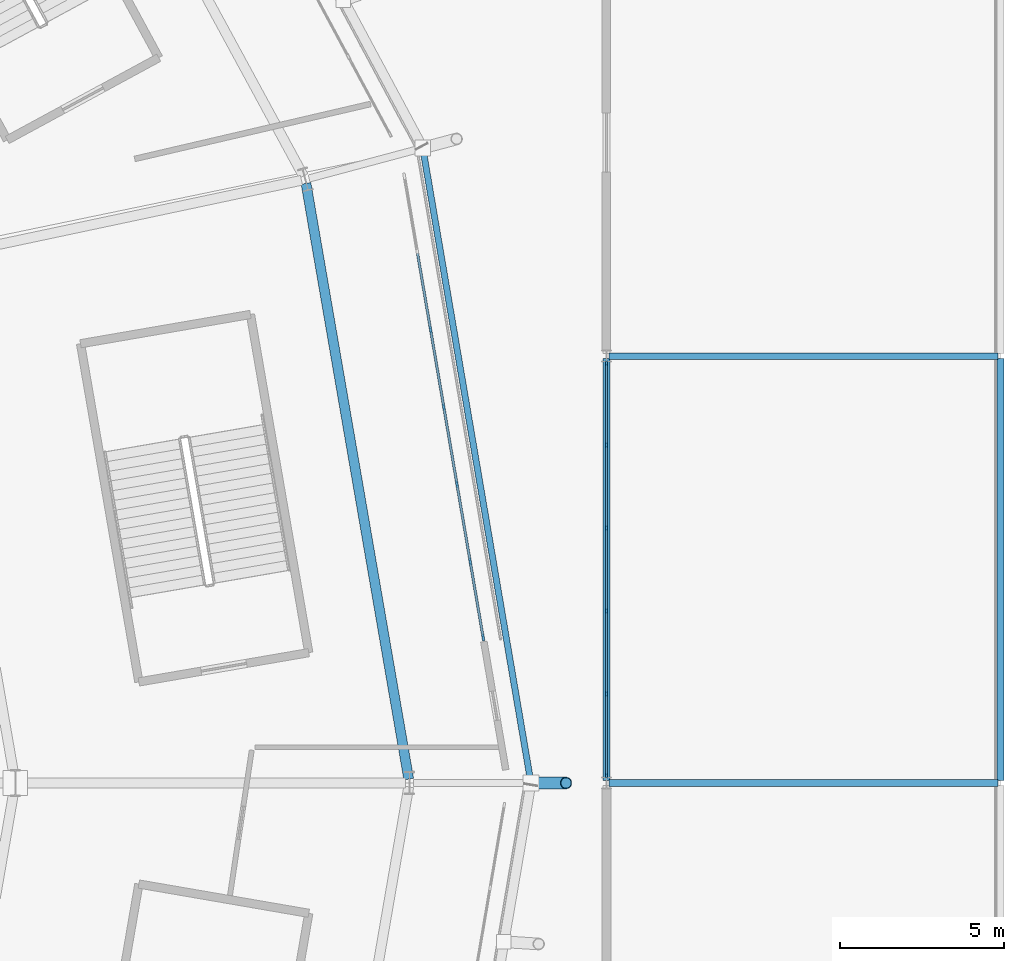
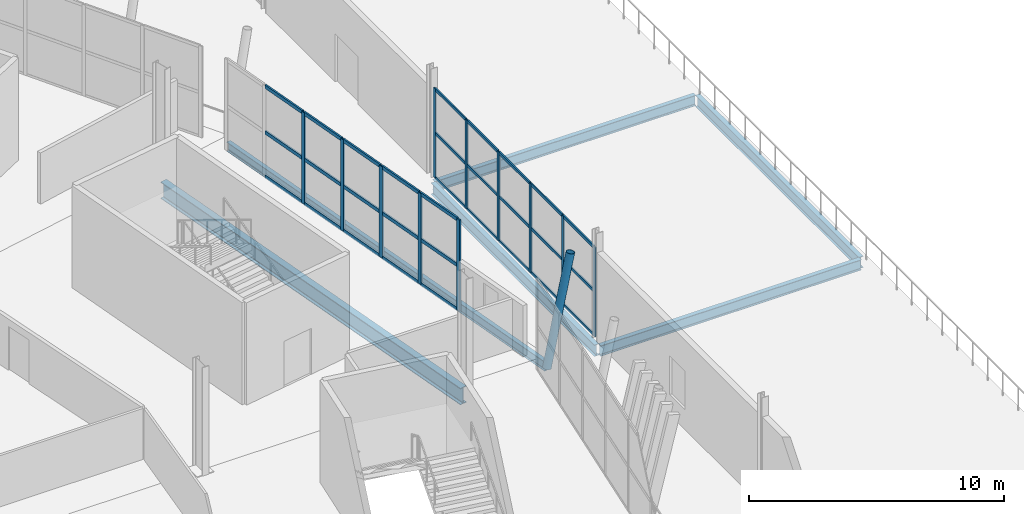
# One storey, part 60 of 168: 42 members, 6 beams, 2 elements without a shape of their own.
"""IFC4 building model written with IfcOpenShell, lengths in metres."""

from ifc_helpers import new_model, si_unit, direction, frame, origin, origin_2d, place, context, subcontext, project, spatial, rectangle, hollow_circle, i_section, extrude, material, material_profile, profile_set, type_object, element, aggregate, save


model = new_model("IFC4")

# Units and contexts
model_context = context("Model", 3, precision=1e-05, world=origin(), true_north=direction((0.0, 1.0)))
body_context = subcontext(model_context, "Body", "Model", "MODEL_VIEW")
ifc_project = project(units=[si_unit("LENGTHUNIT", "METRE"), si_unit("AREAUNIT", "SQUARE_METRE"), si_unit("VOLUMEUNIT", "CUBIC_METRE"), si_unit("PLANEANGLEUNIT", "RADIAN"), si_unit("MASSUNIT", "GRAM", prefix="KILO")], contexts=[model_context])

# Site, building, storey
site_placement = place(None, origin())
site = spatial("IfcSite", under=ifc_project, at=site_placement, CompositionType="ELEMENT")
building_placement = place(site_placement, origin())
building = spatial("IfcBuilding", under=site, at=building_placement, Name="Zlatoyarsky Gate Stadium", CompositionType="ELEMENT")
storey_placement = place(building_placement, frame((0.0, 0.0, 15.60009765625)))
storey = spatial("IfcBuildingStorey", under=building, at=storey_placement, Name="L03", CompositionType="ELEMENT", Elevation=15.60009765625)

# Curtain wall, members
ifc_material_1 = material(Name="Thermally broken anodised aluminium curtain wall", Category="aluminium")
curtain_wall_type_1 = type_object("IfcCurtainWallType", Name="MONUMENTAL ARCHED GATE GLAZING UPPER", PredefinedType="USERDEFINED", material=ifc_material_1)
curtain_wall_1_placement = place(storey_placement, origin())
curtain_wall_1 = element("IfcCurtainWall", 1, at=curtain_wall_1_placement, inside=storey, type_object=curtain_wall_type_1, Name="Curtain wall CW-L03-00", ObjectType="ARCHED GATE GLAZING", PredefinedType="USERDEFINED")
ifc_material_2 = material(Name="Anodised aluminium 6063-T6", Category="aluminium")
ifc_material_profile_1 = material_profile(ifc_material_2, rectangle(XDim=0.074951171875, YDim=0.18994140625, at=origin_2d()), Name="ALU 75X190")
ifc_profile_set_1 = profile_set([ifc_material_profile_1], Name="Anodised aluminium 6063-T6")
member_type_1 = type_object("IfcMemberType", Name="ALUMINIUM GATE MULLION 75X190", PredefinedType="MULLION", material=ifc_profile_set_1)
member_1_placement = place(storey_placement, frame((206.24658203125, 84.423583984375, 0.0), z_axis=(0.0, 0.0, 1.0), x_axis=(-0.985726654508, -0.168353683036, 0.0)))
member_1 = element("IfcMember", 2, at=member_1_placement, type_object=member_type_1, Name="CW-AG2 mullion 1", PredefinedType="MULLION", context=body_context, shape_type="SweptSolid", body=[
    extrude(rectangle(XDim=0.074951171875, YDim=0.18994140625, at=origin_2d()), origin(), (0.0, 0.0, 1.0), 4.3798828125),
])
member_2_placement = place(storey_placement, frame((205.850830078125, 86.74072265625, 0.0), z_axis=(0.0, 0.0, 1.0), x_axis=(-0.985726654508, -0.168353683036, 0.0)))
member_2 = element("IfcMember", 3, at=member_2_placement, type_object=member_type_1, Name="CW-AG2 mullion 2", PredefinedType="MULLION", context=body_context, shape_type="SweptSolid", body=[
    extrude(rectangle(XDim=0.074951171875, YDim=0.18994140625, at=origin_2d()), origin(), (0.0, 0.0, 1.0), 4.3798828125),
])
member_3_placement = place(storey_placement, frame((205.44873046875, 89.09521484375, 0.0), z_axis=(0.0, 0.0, 1.0), x_axis=(-0.985726654508, -0.168353683036, 0.0)))
member_3 = element("IfcMember", 4, at=member_3_placement, type_object=member_type_1, Name="CW-AG2 mullion 3", PredefinedType="MULLION", context=body_context, shape_type="SweptSolid", body=[
    extrude(rectangle(XDim=0.074951171875, YDim=0.18994140625, at=origin_2d()), origin(), (0.0, 0.0, 1.0), 4.3798828125),
])
member_4_placement = place(storey_placement, frame((205.046630859375, 91.449462890625, 0.0), z_axis=(0.0, 0.0, 1.0), x_axis=(-0.985726654508, -0.168353683036, 0.0)))
member_4 = element("IfcMember", 5, at=member_4_placement, type_object=member_type_1, Name="CW-AG2 mullion 4", PredefinedType="MULLION", context=body_context, shape_type="SweptSolid", body=[
    extrude(rectangle(XDim=0.074951171875, YDim=0.18994140625, at=origin_2d()), origin(), (0.0, 0.0, 1.0), 4.3798828125),
])
member_5_placement = place(storey_placement, frame((204.64453125, 93.803955078125, 0.0), z_axis=(0.0, 0.0, 1.0), x_axis=(-0.985726654508, -0.168353683036, 0.0)))
member_5 = element("IfcMember", 6, at=member_5_placement, type_object=member_type_1, Name="CW-AG2 mullion 5", PredefinedType="MULLION", context=body_context, shape_type="SweptSolid", body=[
    extrude(rectangle(XDim=0.074951171875, YDim=0.18994140625, at=origin_2d()), origin(), (0.0, 0.0, 1.0), 4.3798828125),
])
ifc_material_profile_2 = material_profile(ifc_material_2, rectangle(XDim=0.074951171875, YDim=0.169921875, at=origin_2d()), Name="ALU 75X170")
ifc_profile_set_2 = profile_set([ifc_material_profile_2], Name="Anodised aluminium 6063-T6")
member_type_2 = type_object("IfcMemberType", Name="ALUMINIUM GATE TRANSOM 75X170", PredefinedType="USERDEFINED", material=ifc_profile_set_2)
member_6_placement = place(storey_placement, frame((206.240478515625, 84.46044921875, 0.037353515625), z_axis=(-0.168415948248, 0.985716018119, 0.0), x_axis=(-0.985716018119, -0.168415948248, 0.0)))
member_6 = element("IfcMember", 7, at=member_6_placement, type_object=member_type_2, Name="CW-AG2 transom 1.1", ObjectType="TRANSOM", PredefinedType="USERDEFINED", context=body_context, shape_type="SweptSolid", body=[
    extrude(rectangle(XDim=0.074951171875, YDim=0.169921875, at=origin_2d()), origin(), (0.0, 0.0, 1.0), 2.27587890625),
])
member_7_placement = place(storey_placement, frame((206.240478515625, 84.46044921875, 2.14990234375), z_axis=(-0.168415948248, 0.985716018119, 0.0), x_axis=(-0.985716018119, -0.168415948248, 0.0)))
member_7 = element("IfcMember", 8, at=member_7_placement, type_object=member_type_2, Name="CW-AG2 transom 1.2", ObjectType="TRANSOM", PredefinedType="USERDEFINED", context=body_context, shape_type="SweptSolid", body=[
    extrude(rectangle(XDim=0.074951171875, YDim=0.169921875, at=origin_2d()), origin(), (0.0, 0.0, 1.0), 2.27587890625),
])
member_8_placement = place(storey_placement, frame((206.240478515625, 84.46044921875, 4.34228515625), z_axis=(-0.168415948248, 0.985716018119, 0.0), x_axis=(-0.985716018119, -0.168415948248, 0.0)))
member_8 = element("IfcMember", 9, at=member_8_placement, type_object=member_type_2, Name="CW-AG2 transom 1.3", ObjectType="TRANSOM", PredefinedType="USERDEFINED", context=body_context, shape_type="SweptSolid", body=[
    extrude(rectangle(XDim=0.074951171875, YDim=0.169921875, at=origin_2d()), origin(), (0.0, 0.0, 1.0), 2.27587890625),
])
member_9_placement = place(storey_placement, frame((205.844482421875, 86.77783203125, 0.037353515625), z_axis=(-0.168333980808, 0.985730019278, 0.0), x_axis=(-0.985730019278, -0.168333980808, 0.0)))
member_9 = element("IfcMember", 10, at=member_9_placement, type_object=member_type_2, Name="CW-AG2 transom 2.1", ObjectType="TRANSOM", PredefinedType="USERDEFINED", context=body_context, shape_type="SweptSolid", body=[
    extrude(rectangle(XDim=0.074951171875, YDim=0.169921875, at=origin_2d()), origin(), (0.0, 0.0, 1.0), 2.313232421875),
])
member_10_placement = place(storey_placement, frame((205.844482421875, 86.77783203125, 2.14990234375), z_axis=(-0.168333980808, 0.985730019278, 0.0), x_axis=(-0.985730019278, -0.168333980808, 0.0)))
member_10 = element("IfcMember", 11, at=member_10_placement, type_object=member_type_2, Name="CW-AG2 transom 2.2", ObjectType="TRANSOM", PredefinedType="USERDEFINED", context=body_context, shape_type="SweptSolid", body=[
    extrude(rectangle(XDim=0.074951171875, YDim=0.169921875, at=origin_2d()), origin(), (0.0, 0.0, 1.0), 2.313232421875),
])
member_11_placement = place(storey_placement, frame((205.844482421875, 86.77783203125, 4.34228515625), z_axis=(-0.168333980808, 0.985730019278, 0.0), x_axis=(-0.985730019278, -0.168333980808, 0.0)))
member_11 = element("IfcMember", 12, at=member_11_placement, type_object=member_type_2, Name="CW-AG2 transom 2.3", ObjectType="TRANSOM", PredefinedType="USERDEFINED", context=body_context, shape_type="SweptSolid", body=[
    extrude(rectangle(XDim=0.074951171875, YDim=0.169921875, at=origin_2d()), origin(), (0.0, 0.0, 1.0), 2.313232421875),
])
member_12_placement = place(storey_placement, frame((205.4423828125, 89.132080078125, 0.037353515625), z_axis=(-0.168316470396, 0.985733009386, 0.0), x_axis=(-0.985733009386, -0.168316470396, 0.0)))
member_12 = element("IfcMember", 13, at=member_12_placement, type_object=member_type_2, Name="CW-AG2 transom 3.1", ObjectType="TRANSOM", PredefinedType="USERDEFINED", context=body_context, shape_type="SweptSolid", body=[
    extrude(rectangle(XDim=0.074951171875, YDim=0.169921875, at=origin_2d()), origin(), (0.0, 0.0, 1.0), 2.3134765625),
])
member_13_placement = place(storey_placement, frame((205.4423828125, 89.132080078125, 2.14990234375), z_axis=(-0.168316470396, 0.985733009386, 0.0), x_axis=(-0.985733009386, -0.168316470396, 0.0)))
member_13 = element("IfcMember", 14, at=member_13_placement, type_object=member_type_2, Name="CW-AG2 transom 3.2", ObjectType="TRANSOM", PredefinedType="USERDEFINED", context=body_context, shape_type="SweptSolid", body=[
    extrude(rectangle(XDim=0.074951171875, YDim=0.169921875, at=origin_2d()), origin(), (0.0, 0.0, 1.0), 2.3134765625),
])
member_14_placement = place(storey_placement, frame((205.4423828125, 89.132080078125, 4.34228515625), z_axis=(-0.168316470396, 0.985733009386, 0.0), x_axis=(-0.985733009386, -0.168316470396, 0.0)))
member_14 = element("IfcMember", 15, at=member_14_placement, type_object=member_type_2, Name="CW-AG2 transom 3.3", ObjectType="TRANSOM", PredefinedType="USERDEFINED", context=body_context, shape_type="SweptSolid", body=[
    extrude(rectangle(XDim=0.074951171875, YDim=0.169921875, at=origin_2d()), origin(), (0.0, 0.0, 1.0), 2.3134765625),
])
member_15_placement = place(storey_placement, frame((205.040283203125, 91.486572265625, 0.037353515625), z_axis=(-0.168333980808, 0.985730019278, 0.0), x_axis=(-0.985730019278, -0.168333980808, 0.0)))
member_15 = element("IfcMember", 16, at=member_15_placement, type_object=member_type_2, Name="CW-AG2 transom 4.1", ObjectType="TRANSOM", PredefinedType="USERDEFINED", context=body_context, shape_type="SweptSolid", body=[
    extrude(rectangle(XDim=0.074951171875, YDim=0.169921875, at=origin_2d()), origin(), (0.0, 0.0, 1.0), 2.313232421875),
])
member_16_placement = place(storey_placement, frame((205.040283203125, 91.486572265625, 2.14990234375), z_axis=(-0.168333980808, 0.985730019278, 0.0), x_axis=(-0.985730019278, -0.168333980808, 0.0)))
member_16 = element("IfcMember", 17, at=member_16_placement, type_object=member_type_2, Name="CW-AG2 transom 4.2", ObjectType="TRANSOM", PredefinedType="USERDEFINED", context=body_context, shape_type="SweptSolid", body=[
    extrude(rectangle(XDim=0.074951171875, YDim=0.169921875, at=origin_2d()), origin(), (0.0, 0.0, 1.0), 2.313232421875),
])
member_17_placement = place(storey_placement, frame((205.040283203125, 91.486572265625, 4.34228515625), z_axis=(-0.168333980808, 0.985730019278, 0.0), x_axis=(-0.985730019278, -0.168333980808, 0.0)))
member_17 = element("IfcMember", 18, at=member_17_placement, type_object=member_type_2, Name="CW-AG2 transom 4.3", ObjectType="TRANSOM", PredefinedType="USERDEFINED", context=body_context, shape_type="SweptSolid", body=[
    extrude(rectangle(XDim=0.074951171875, YDim=0.169921875, at=origin_2d()), origin(), (0.0, 0.0, 1.0), 2.313232421875),
])
member_18_placement = place(storey_placement, frame((204.63818359375, 93.8408203125, 0.037353515625), z_axis=(-0.168333980808, 0.985730019278, 0.0), x_axis=(-0.985730019278, -0.168333980808, 0.0)))
member_18 = element("IfcMember", 19, at=member_18_placement, type_object=member_type_2, Name="CW-AG2 transom 5.1", ObjectType="TRANSOM", PredefinedType="USERDEFINED", context=body_context, shape_type="SweptSolid", body=[
    extrude(rectangle(XDim=0.074951171875, YDim=0.169921875, at=origin_2d()), origin(), (0.0, 0.0, 1.0), 2.313232421875),
])
member_19_placement = place(storey_placement, frame((204.63818359375, 93.8408203125, 2.14990234375), z_axis=(-0.168333980808, 0.985730019278, 0.0), x_axis=(-0.985730019278, -0.168333980808, 0.0)))
member_19 = element("IfcMember", 20, at=member_19_placement, type_object=member_type_2, Name="CW-AG2 transom 5.2", ObjectType="TRANSOM", PredefinedType="USERDEFINED", context=body_context, shape_type="SweptSolid", body=[
    extrude(rectangle(XDim=0.074951171875, YDim=0.169921875, at=origin_2d()), origin(), (0.0, 0.0, 1.0), 2.313232421875),
])
member_20_placement = place(storey_placement, frame((204.63818359375, 93.8408203125, 4.34228515625), z_axis=(-0.168333980808, 0.985730019278, 0.0), x_axis=(-0.985730019278, -0.168333980808, 0.0)))
member_20 = element("IfcMember", 21, at=member_20_placement, type_object=member_type_2, Name="CW-AG2 transom 5.3", ObjectType="TRANSOM", PredefinedType="USERDEFINED", context=body_context, shape_type="SweptSolid", body=[
    extrude(rectangle(XDim=0.074951171875, YDim=0.169921875, at=origin_2d()), origin(), (0.0, 0.0, 1.0), 2.313232421875),
])
aggregate(curtain_wall_1, [member_1, member_2, member_3, member_4, member_5, member_6, member_7, member_8, member_9, member_10, member_11, member_12, member_13, member_14, member_15, member_16, member_17, member_18, member_19, member_20])

curtain_wall_type_2 = type_object("IfcCurtainWallType", Name="WINTER GARDEN CONSERVATORY GLAZING", PredefinedType="USERDEFINED", material=ifc_material_1)
curtain_wall_2_placement = place(storey_placement, origin())
curtain_wall_2 = element("IfcCurtainWall", 22, at=curtain_wall_2_placement, inside=storey, type_object=curtain_wall_type_2, Name="Curtain wall CW-V5_EAST-L03-186", ObjectType="UNITISED GLAZING", PredefinedType="USERDEFINED")
ifc_material_profile_3 = material_profile(ifc_material_2, rectangle(XDim=0.06494140625, YDim=0.159912109375, at=origin_2d()), Name="ALU 65X160")
ifc_profile_set_3 = profile_set([ifc_material_profile_3], Name="Anodised aluminium 6063-T6")
member_type_3 = type_object("IfcMemberType", Name="ALUMINIUM MULLION 65X160", PredefinedType="MULLION", material=ifc_profile_set_3)
member_21_placement = place(storey_placement, frame((210.0, 80.224609375, 0.0), z_axis=(0.0, 0.0, 1.0), x_axis=(-1.0, 0.0, 0.0)))
member_21 = element("IfcMember", 23, at=member_21_placement, type_object=member_type_3, Name="CW-WG1 mullion 1", PredefinedType="MULLION", context=body_context, shape_type="SweptSolid", body=[
    extrude(rectangle(XDim=0.06494140625, YDim=0.159912109375, at=origin_2d()), origin(), (0.0, 0.0, 1.0), 4.27978515625),
])
member_22_placement = place(storey_placement, frame((210.0, 82.715087890625, 0.0), z_axis=(0.0, 0.0, 1.0), x_axis=(-1.0, 0.0, 0.0)))
member_22 = element("IfcMember", 24, at=member_22_placement, type_object=member_type_3, Name="CW-WG1 mullion 2", PredefinedType="MULLION", context=body_context, shape_type="SweptSolid", body=[
    extrude(rectangle(XDim=0.06494140625, YDim=0.159912109375, at=origin_2d()), origin(), (0.0, 0.0, 1.0), 4.27978515625),
])
member_23_placement = place(storey_placement, frame((210.0, 85.23828125, 0.0), z_axis=(0.0, 0.0, 1.0), x_axis=(-1.0, 0.0, 0.0)))
member_23 = element("IfcMember", 25, at=member_23_placement, type_object=member_type_3, Name="CW-WG1 mullion 3", PredefinedType="MULLION", context=body_context, shape_type="SweptSolid", body=[
    extrude(rectangle(XDim=0.06494140625, YDim=0.159912109375, at=origin_2d()), origin(), (0.0, 0.0, 1.0), 4.27978515625),
])
member_24_placement = place(storey_placement, frame((210.0, 87.76171875, 0.0), z_axis=(0.0, 0.0, 1.0), x_axis=(-1.0, 0.0, 0.0)))
member_24 = element("IfcMember", 26, at=member_24_placement, type_object=member_type_3, Name="CW-WG1 mullion 4", PredefinedType="MULLION", context=body_context, shape_type="SweptSolid", body=[
    extrude(rectangle(XDim=0.06494140625, YDim=0.159912109375, at=origin_2d()), origin(), (0.0, 0.0, 1.0), 4.27978515625),
])
member_25_placement = place(storey_placement, frame((210.0, 90.284912109375, 0.0), z_axis=(0.0, 0.0, 1.0), x_axis=(-1.0, 0.0, 0.0)))
member_25 = element("IfcMember", 27, at=member_25_placement, type_object=member_type_3, Name="CW-WG1 mullion 5", PredefinedType="MULLION", context=body_context, shape_type="SweptSolid", body=[
    extrude(rectangle(XDim=0.06494140625, YDim=0.159912109375, at=origin_2d()), origin(), (0.0, 0.0, 1.0), 4.27978515625),
])
member_26_placement = place(storey_placement, frame((210.0, 92.775390625, 0.0), z_axis=(0.0, 0.0, 1.0), x_axis=(-1.0, 0.0, 0.0)))
member_26 = element("IfcMember", 28, at=member_26_placement, type_object=member_type_3, Name="CW-WG1 mullion 6", PredefinedType="MULLION", context=body_context, shape_type="SweptSolid", body=[
    extrude(rectangle(XDim=0.06494140625, YDim=0.159912109375, at=origin_2d()), origin(), (0.0, 0.0, 1.0), 4.27978515625),
])
ifc_material_profile_4 = material_profile(ifc_material_2, rectangle(XDim=0.06494140625, YDim=0.139892578125, at=origin_2d()), Name="ALU 65X140")
ifc_profile_set_4 = profile_set([ifc_material_profile_4], Name="Anodised aluminium 6063-T6")
member_type_4 = type_object("IfcMemberType", Name="ALUMINIUM TRANSOM 65X140", PredefinedType="USERDEFINED", material=ifc_profile_set_4)
member_27_placement = place(storey_placement, frame((210.0, 80.257080078125, 0.032470703125), z_axis=(0.0, 1.0, 0.0), x_axis=(-1.0, 0.0, 0.0)))
member_27 = element("IfcMember", 29, at=member_27_placement, type_object=member_type_4, Name="CW-WG1 transom 1.1", ObjectType="TRANSOM", PredefinedType="USERDEFINED", context=body_context, shape_type="SweptSolid", body=[
    extrude(rectangle(XDim=0.06494140625, YDim=0.139892578125, at=origin_2d()), origin(), (0.0, 0.0, 1.0), 2.425537109375),
])
member_28_placement = place(storey_placement, frame((210.0, 80.257080078125, 2.14990234375), z_axis=(0.0, 1.0, 0.0), x_axis=(-1.0, 0.0, 0.0)))
member_28 = element("IfcMember", 30, at=member_28_placement, type_object=member_type_4, Name="CW-WG1 transom 1.2", ObjectType="TRANSOM", PredefinedType="USERDEFINED", context=body_context, shape_type="SweptSolid", body=[
    extrude(rectangle(XDim=0.06494140625, YDim=0.139892578125, at=origin_2d()), origin(), (0.0, 0.0, 1.0), 2.425537109375),
])
member_29_placement = place(storey_placement, frame((210.0, 80.257080078125, 4.247314453125), z_axis=(0.0, 1.0, 0.0), x_axis=(-1.0, 0.0, 0.0)))
member_29 = element("IfcMember", 31, at=member_29_placement, type_object=member_type_4, Name="CW-WG1 transom 1.3", ObjectType="TRANSOM", PredefinedType="USERDEFINED", context=body_context, shape_type="SweptSolid", body=[
    extrude(rectangle(XDim=0.06494140625, YDim=0.139892578125, at=origin_2d()), origin(), (0.0, 0.0, 1.0), 2.425537109375),
])
member_30_placement = place(storey_placement, frame((210.0, 82.747802734375, 0.032470703125), z_axis=(0.0, 1.0, 0.0), x_axis=(-1.0, 0.0, 0.0)))
member_30 = element("IfcMember", 32, at=member_30_placement, type_object=member_type_4, Name="CW-WG1 transom 2.1", ObjectType="TRANSOM", PredefinedType="USERDEFINED", context=body_context, shape_type="SweptSolid", body=[
    extrude(rectangle(XDim=0.06494140625, YDim=0.139892578125, at=origin_2d()), origin(), (0.0, 0.0, 1.0), 2.4580078125),
])
member_31_placement = place(storey_placement, frame((210.0, 82.747802734375, 2.14990234375), z_axis=(0.0, 1.0, 0.0), x_axis=(-1.0, 0.0, 0.0)))
member_31 = element("IfcMember", 33, at=member_31_placement, type_object=member_type_4, Name="CW-WG1 transom 2.2", ObjectType="TRANSOM", PredefinedType="USERDEFINED", context=body_context, shape_type="SweptSolid", body=[
    extrude(rectangle(XDim=0.06494140625, YDim=0.139892578125, at=origin_2d()), origin(), (0.0, 0.0, 1.0), 2.4580078125),
])
member_32_placement = place(storey_placement, frame((210.0, 82.747802734375, 4.247314453125), z_axis=(0.0, 1.0, 0.0), x_axis=(-1.0, 0.0, 0.0)))
member_32 = element("IfcMember", 34, at=member_32_placement, type_object=member_type_4, Name="CW-WG1 transom 2.3", ObjectType="TRANSOM", PredefinedType="USERDEFINED", context=body_context, shape_type="SweptSolid", body=[
    extrude(rectangle(XDim=0.06494140625, YDim=0.139892578125, at=origin_2d()), origin(), (0.0, 0.0, 1.0), 2.4580078125),
])
member_33_placement = place(storey_placement, frame((210.0, 85.27099609375, 0.032470703125), z_axis=(0.0, 1.0, 0.0), x_axis=(-1.0, 0.0, 0.0)))
member_33 = element("IfcMember", 35, at=member_33_placement, type_object=member_type_4, Name="CW-WG1 transom 3.1", ObjectType="TRANSOM", PredefinedType="USERDEFINED", context=body_context, shape_type="SweptSolid", body=[
    extrude(rectangle(XDim=0.06494140625, YDim=0.139892578125, at=origin_2d()), origin(), (0.0, 0.0, 1.0), 2.4580078125),
])
member_34_placement = place(storey_placement, frame((210.0, 85.27099609375, 2.14990234375), z_axis=(0.0, 1.0, 0.0), x_axis=(-1.0, 0.0, 0.0)))
member_34 = element("IfcMember", 36, at=member_34_placement, type_object=member_type_4, Name="CW-WG1 transom 3.2", ObjectType="TRANSOM", PredefinedType="USERDEFINED", context=body_context, shape_type="SweptSolid", body=[
    extrude(rectangle(XDim=0.06494140625, YDim=0.139892578125, at=origin_2d()), origin(), (0.0, 0.0, 1.0), 2.4580078125),
])
member_35_placement = place(storey_placement, frame((210.0, 85.27099609375, 4.247314453125), z_axis=(0.0, 1.0, 0.0), x_axis=(-1.0, 0.0, 0.0)))
member_35 = element("IfcMember", 37, at=member_35_placement, type_object=member_type_4, Name="CW-WG1 transom 3.3", ObjectType="TRANSOM", PredefinedType="USERDEFINED", context=body_context, shape_type="SweptSolid", body=[
    extrude(rectangle(XDim=0.06494140625, YDim=0.139892578125, at=origin_2d()), origin(), (0.0, 0.0, 1.0), 2.4580078125),
])
member_36_placement = place(storey_placement, frame((210.0, 87.794189453125, 0.032470703125), z_axis=(0.0, 1.0, 0.0), x_axis=(-1.0, 0.0, 0.0)))
member_36 = element("IfcMember", 38, at=member_36_placement, type_object=member_type_4, Name="CW-WG1 transom 4.1", ObjectType="TRANSOM", PredefinedType="USERDEFINED", context=body_context, shape_type="SweptSolid", body=[
    extrude(rectangle(XDim=0.06494140625, YDim=0.139892578125, at=origin_2d()), origin(), (0.0, 0.0, 1.0), 2.4580078125),
])
member_37_placement = place(storey_placement, frame((210.0, 87.794189453125, 2.14990234375), z_axis=(0.0, 1.0, 0.0), x_axis=(-1.0, 0.0, 0.0)))
member_37 = element("IfcMember", 39, at=member_37_placement, type_object=member_type_4, Name="CW-WG1 transom 4.2", ObjectType="TRANSOM", PredefinedType="USERDEFINED", context=body_context, shape_type="SweptSolid", body=[
    extrude(rectangle(XDim=0.06494140625, YDim=0.139892578125, at=origin_2d()), origin(), (0.0, 0.0, 1.0), 2.4580078125),
])
member_38_placement = place(storey_placement, frame((210.0, 87.794189453125, 4.247314453125), z_axis=(0.0, 1.0, 0.0), x_axis=(-1.0, 0.0, 0.0)))
member_38 = element("IfcMember", 40, at=member_38_placement, type_object=member_type_4, Name="CW-WG1 transom 4.3", ObjectType="TRANSOM", PredefinedType="USERDEFINED", context=body_context, shape_type="SweptSolid", body=[
    extrude(rectangle(XDim=0.06494140625, YDim=0.139892578125, at=origin_2d()), origin(), (0.0, 0.0, 1.0), 2.4580078125),
])
member_39_placement = place(storey_placement, frame((210.0, 90.3173828125, 0.032470703125), z_axis=(0.0, 1.0, 0.0), x_axis=(-1.0, 0.0, 0.0)))
member_39 = element("IfcMember", 41, at=member_39_placement, type_object=member_type_4, Name="CW-WG1 transom 5.1", ObjectType="TRANSOM", PredefinedType="USERDEFINED", context=body_context, shape_type="SweptSolid", body=[
    extrude(rectangle(XDim=0.06494140625, YDim=0.139892578125, at=origin_2d()), origin(), (0.0, 0.0, 1.0), 2.425537109375),
])
member_40_placement = place(storey_placement, frame((210.0, 90.3173828125, 2.14990234375), z_axis=(0.0, 1.0, 0.0), x_axis=(-1.0, 0.0, 0.0)))
member_40 = element("IfcMember", 42, at=member_40_placement, type_object=member_type_4, Name="CW-WG1 transom 5.2", ObjectType="TRANSOM", PredefinedType="USERDEFINED", context=body_context, shape_type="SweptSolid", body=[
    extrude(rectangle(XDim=0.06494140625, YDim=0.139892578125, at=origin_2d()), origin(), (0.0, 0.0, 1.0), 2.425537109375),
])
member_41_placement = place(storey_placement, frame((210.0, 90.3173828125, 4.247314453125), z_axis=(0.0, 1.0, 0.0), x_axis=(-1.0, 0.0, 0.0)))
member_41 = element("IfcMember", 43, at=member_41_placement, type_object=member_type_4, Name="CW-WG1 transom 5.3", ObjectType="TRANSOM", PredefinedType="USERDEFINED", context=body_context, shape_type="SweptSolid", body=[
    extrude(rectangle(XDim=0.06494140625, YDim=0.139892578125, at=origin_2d()), origin(), (0.0, 0.0, 1.0), 2.425537109375),
])
aggregate(curtain_wall_2, [member_21, member_22, member_23, member_24, member_25, member_26, member_27, member_28, member_29, member_30, member_31, member_32, member_33, member_34, member_35, member_36, member_37, member_38, member_39, member_40, member_41])

# Beams
ifc_material_3 = material(Name="Steel S355", Category="steel")
ifc_material_profile_5 = material_profile(ifc_material_3, i_section(OverallWidth=0.18994140625, OverallDepth=0.449951171875, WebThickness=0.009521484375, FlangeThickness=0.0146484375, FilletRadius=0.02099609375, at=origin_2d()), Name="IPE 450")
ifc_profile_set_5 = profile_set([ifc_material_profile_5], Name="Steel S355")
beam_type_1 = type_object("IfcBeamType", Name="STEEL EDGE SPANDREL IPE 450", PredefinedType="SPANDREL", material=ifc_profile_set_5)
beam_1_placement = place(storey_placement, frame((207.69873046875, 80.019775390625, -0.505126953125), z_axis=(-0.167990203177, 0.985788664794, 0.0), x_axis=(-0.985788664794, -0.167990203177, 0.0)))
element("IfcBeam", 44, at=beam_1_placement, inside=storey, type_object=beam_type_1, Name="Beam SP-IPE450 BM-L03-SPD-00", PredefinedType="SPANDREL", context=body_context, shape_type="SweptSolid", body=[
    extrude(i_section(OverallWidth=0.18994140625, OverallDepth=0.449951171875, WebThickness=0.009521484375, FlangeThickness=0.0146484375, FilletRadius=0.02099609375, at=origin_2d()), origin(), (0.0, 0.0, 1.0), 19.572998046875),
])
ifc_material_profile_6 = material_profile(ifc_material_3, i_section(OverallWidth=0.199951171875, OverallDepth=0.5, WebThickness=0.01025390625, FlangeThickness=0.01611328125, FilletRadius=0.02099609375, at=origin_2d()), Name="IPE 500")
ifc_profile_set_6 = profile_set([ifc_material_profile_6], Name="Steel S355")
beam_type_2 = type_object("IfcBeamType", Name="STEEL FLOOR BEAM IPE 500", PredefinedType="BEAM", material=ifc_profile_set_6)
for number, where, z_axis, x_axis, name in (
    (45, (210.080078125, 80.0, -0.570068359375), (1.0, 0.0, 0.0), (0.0, 1.0, 0.0), "Beam B-IPE500 BM-L03-WGX-18-H"),
    (46, (210.080078125, 93.0, -0.570068359375), (1.0, 0.0, 0.0), (0.0, 1.0, 0.0), "Beam B-IPE500 BM-L03-WGX-18-J"),
):
    element("IfcBeam", number, at=place(storey_placement, frame(where, z_axis=z_axis, x_axis=x_axis)), inside=storey, type_object=beam_type_2, Name=name, PredefinedType="BEAM", context=body_context, shape_type="SweptSolid", body=[
        extrude(i_section(OverallWidth=0.199951171875, OverallDepth=0.5, WebThickness=0.01025390625, FlangeThickness=0.01611328125, FilletRadius=0.02099609375, at=origin_2d()), origin(), (0.0, 0.0, 1.0), 11.83984375),
    ])
ifc_material_profile_7 = material_profile(ifc_material_3, i_section(OverallWidth=0.2099609375, OverallDepth=0.550048828125, WebThickness=0.010986328125, FlangeThickness=0.01708984375, FilletRadius=0.02392578125, at=origin_2d()), Name="IPE 550")
ifc_profile_set_7 = profile_set([ifc_material_profile_7], Name="Steel S355")
beam_type_3 = type_object("IfcBeamType", Name="STEEL FLOOR BEAM IPE 550", PredefinedType="BEAM", material=ifc_profile_set_7)
for number, where, z_axis, x_axis, name in (
    (47, (210.0, 80.080078125, -0.59521484375), (0.0, 1.0, 0.0), (-1.0, 0.0, 0.0), "Beam B-IPE550 BM-L03-WGY-18-H"),
    (48, (222.0, 80.080078125, -0.59521484375), (0.0, 1.0, 0.0), (-1.0, 0.0, 0.0), "Beam B-IPE550 BM-L03-WGY-19-H"),
):
    element("IfcBeam", number, at=place(storey_placement, frame(where, z_axis=z_axis, x_axis=x_axis)), inside=storey, type_object=beam_type_3, Name=name, PredefinedType="BEAM", context=body_context, shape_type="SweptSolid", body=[
        extrude(i_section(OverallWidth=0.2099609375, OverallDepth=0.550048828125, WebThickness=0.010986328125, FlangeThickness=0.01708984375, FilletRadius=0.02392578125, at=origin_2d()), origin(), (0.0, 0.0, 1.0), 12.83984375),
    ])

# Member
ifc_material_profile_8 = material_profile(ifc_material_3, hollow_circle(Radius=0.177734375, WallThickness=0.02001953125, at=origin_2d()), Name="CHS 355.6X20")
ifc_profile_set_8 = profile_set([ifc_material_profile_8], Name="Steel S355")
member_type_5 = type_object("IfcMemberType", Name="STEEL LEANING RIB RING STRUT CHS 355.6X20", PredefinedType="STRUT", material=ifc_profile_set_8)
member_42_placement = place(storey_placement, frame((207.7021484375, 80.0, -0.580078125), z_axis=(0.201820940285, 0.0, 0.97942243596), x_axis=(0.0, 1.0, 0.0)))
element("IfcMember", 49, at=member_42_placement, inside=storey, type_object=member_type_5, Name="Leaning ring strut 00 L03 to L04", PredefinedType="STRUT", context=body_context, shape_type="SweptSolid", body=[
    extrude(hollow_circle(Radius=0.177734375, WallThickness=0.02001953125, at=origin_2d()), origin(), (0.0, 0.0, 1.0), 5.288818359375),
])

# Beam
ifc_material_profile_9 = material_profile(ifc_material_3, i_section(OverallWidth=0.300048828125, OverallDepth=0.800048828125, WebThickness=0.017578125, FlangeThickness=0.032958984375, FilletRadius=0.030029296875, at=origin_2d()), Name="HEB 800")
ifc_profile_set_9 = profile_set([ifc_material_profile_9], Name="Steel S355")
beam_type_4 = type_object("IfcBeamType", Name="STEEL PRIMARY GIRDER HEB 800", PredefinedType="BEAM", material=ifc_profile_set_9)
beam_2_placement = place(storey_placement, frame((203.9794921875, 80.118408203125, -0.68017578125), z_axis=(-0.169930456666, 0.985456056807, 0.0), x_axis=(-0.985456056807, -0.169930456666, 0.0)))
element("IfcBeam", 50, at=beam_2_placement, inside=storey, type_object=beam_type_4, Name="Beam G-HEB800 BM-L03-CRC-00", PredefinedType="BEAM", context=body_context, shape_type="SweptSolid", body=[
    extrude(i_section(OverallWidth=0.300048828125, OverallDepth=0.800048828125, WebThickness=0.017578125, FlangeThickness=0.032958984375, FilletRadius=0.030029296875, at=origin_2d()), origin(), (0.0, 0.0, 1.0), 18.4072265625),
])

save(model, "model.ifc")
